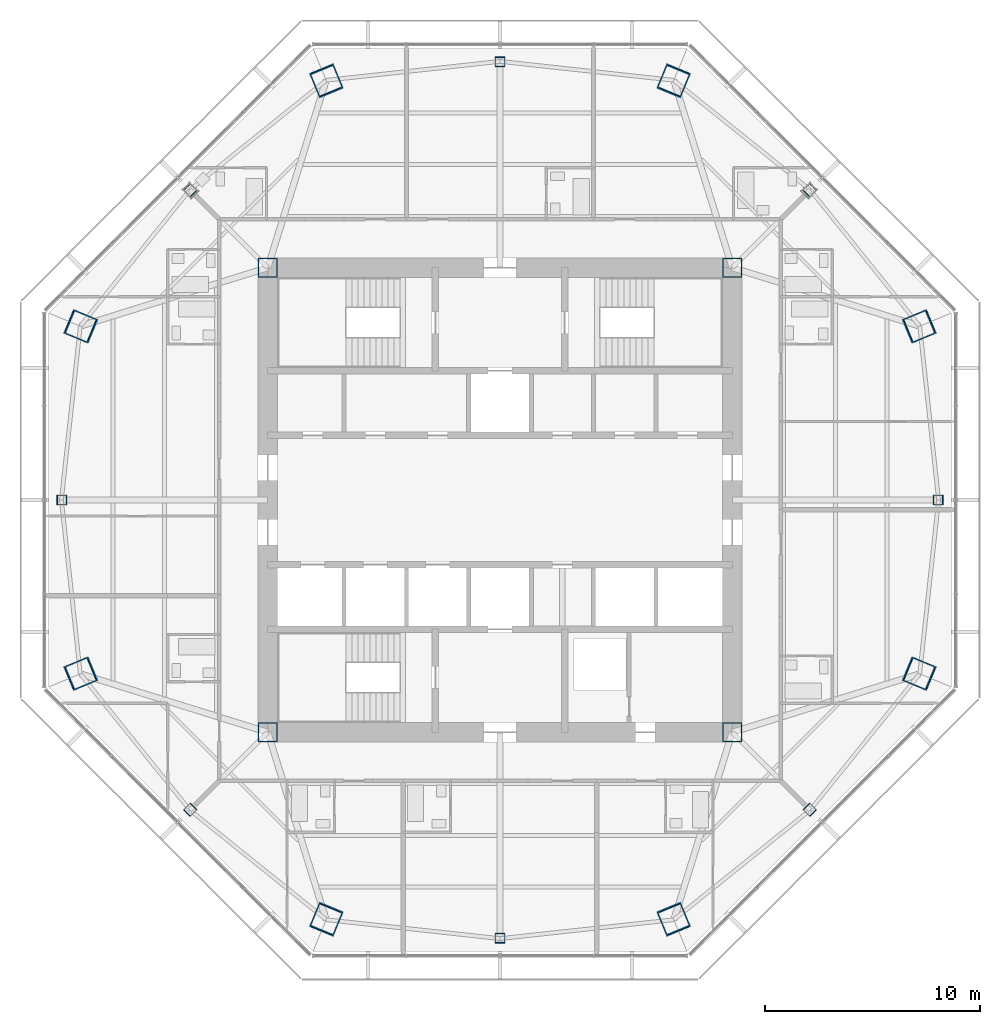
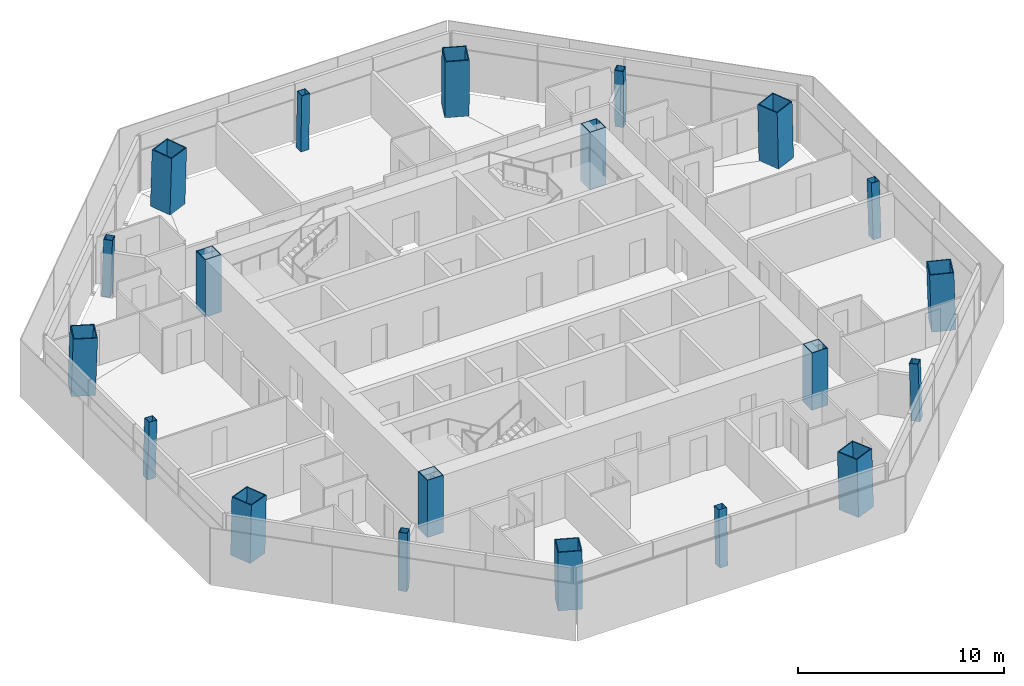
# One storey, part 1 of 14: 20 columns.
"""IFC4 building model written with IfcOpenShell, lengths in metres."""

import ifcopenshell
import ifcopenshell.guid

model = None  # the IFC model being written
_history = None  # IfcOwnerHistory: only IFC2X3 demands one
_inside = {}  # id of a spatial element -> (the spatial element, [elements in it])
_under = {}  # id of a project, library or spatial element -> (it, [spatial elements below it])
_declared = {}  # id of a project -> (the project, [libraries it declares])
_typed = {}  # id of a type object -> (the type object, [elements of that type])
_made_of = {}  # id of a material, layer set ... -> (it, [elements and type objects made of it])


def new_model(schema):
    """Start an empty IFC model of exactly this schema.

    Asked for "IFC4X3", IfcOpenShell would pick the latest addendum, in which some entities
    have other attributes; the version numbers below select the first issue.
    IFC2X3 requires an IfcOwnerHistory on every rooted entity: one is made here for all.
    """
    global model, _history
    if schema == "IFC4X3":
        model = ifcopenshell.file(schema_version=(4, 3, 0, 0))
    else:
        model = ifcopenshell.file(schema=schema)
    _inside.clear()
    _under.clear()
    _declared.clear()
    _typed.clear()
    _made_of.clear()
    _history = None
    if model.schema == "IFC2X3":
        org = make("IfcOrganization", Name="unknown")
        user = make(
            "IfcPersonAndOrganization",
            ThePerson=make("IfcPerson", FamilyName="unknown"),
            TheOrganization=org,
        )
        app = make(
            "IfcApplication",
            ApplicationDeveloper=org,
            Version="unknown",
            ApplicationFullName="unknown",
            ApplicationIdentifier="unknown",
        )
        _history = make(
            "IfcOwnerHistory",
            OwningUser=user,
            OwningApplication=app,
            ChangeAction="ADDED",
            CreationDate=0,
        )
    return model


def make(cls, **values):
    """One entity of the class cls with the attributes given. An attribute that is None is left unset."""
    return model.create_entity(
        cls, **{name: value for name, value in values.items() if value is not None}
    )


def rooted(cls, **values):
    """An entity with a GlobalId (a new one), such as an element, a storey or a relation."""
    return make(cls, GlobalId=ifcopenshell.guid.new(), OwnerHistory=_history, **values)


def si_unit(unit_type, name, prefix=None):
    """IfcSIUnit, for example si_unit("LENGTHUNIT", "METRE", prefix="MILLI")."""
    return make("IfcSIUnit", UnitType=unit_type, Prefix=prefix, Name=name)


def assignment(units):
    """IfcUnitAssignment: the units of a project."""
    return None if units is None else make("IfcUnitAssignment", Units=units)


def point(xyz):
    """IfcCartesianPoint."""
    return None if xyz is None else make("IfcCartesianPoint", Coordinates=xyz)


def direction(xyz):
    """IfcDirection."""
    return None if xyz is None else make("IfcDirection", DirectionRatios=xyz)


def frame(location, z_axis=None, x_axis=None):
    """IfcAxis2Placement3D, a coordinate frame: its origin and axes. An axis left out is left unset."""
    return make(
        "IfcAxis2Placement3D",
        Location=point(location),
        Axis=direction(z_axis),
        RefDirection=direction(x_axis),
    )


def frame_2d(location, x_axis=None):
    """IfcAxis2Placement2D, a coordinate frame in the plane: its origin and x axis."""
    return make(
        "IfcAxis2Placement2D", Location=point(location), RefDirection=direction(x_axis)
    )


def origin():
    """The frame at (0, 0, 0) with its axes left unset."""
    return frame((0.0, 0.0, 0.0))


def origin_2d():
    """The frame at (0, 0) in the plane with its x axis left unset."""
    return frame_2d((0.0, 0.0))


def place(relative_to, where):
    """IfcLocalPlacement: puts the frame where relative to a parent placement (None: the world)."""
    return make(
        "IfcLocalPlacement", PlacementRelTo=relative_to, RelativePlacement=where
    )


def context(
    kind, dimensions, precision=None, world=None, true_north=None, identifier=None
):
    """IfcGeometricRepresentationContext, for example the 3D "Model" context."""
    return make(
        "IfcGeometricRepresentationContext",
        ContextIdentifier=identifier,
        ContextType=kind,
        CoordinateSpaceDimension=dimensions,
        Precision=precision,
        WorldCoordinateSystem=world,
        TrueNorth=true_north,
    )


def subcontext(parent, identifier, kind, view, scale=None):
    """IfcGeometricRepresentationSubContext, for example "Body" below "Model"."""
    return make(
        "IfcGeometricRepresentationSubContext",
        ContextIdentifier=identifier,
        ContextType=kind,
        ParentContext=parent,
        TargetScale=scale,
        TargetView=view,
    )


def project(units=None, contexts=None):
    """IfcProject with its units and contexts."""
    return rooted(
        "IfcProject",
        Name="project",
        RepresentationContexts=contexts,
        UnitsInContext=assignment(units),
    )


def spatial(cls, under=None, at=None, **own):
    """A site, building, storey or space (cls), placed at a placement, below another one or the project."""
    s = rooted(cls, ObjectPlacement=at, **own)
    if under is not None:
        _under.setdefault(under.id(), (under, []))[1].append(s)
    return s


def profile(cls, at=None, kind="AREA", **sizes):
    """A parametric profile (cls). Its sizes go by their IFC names, for example OverallWidth=200.0."""
    return make(cls, ProfileType=kind, Position=at, **sizes)


def hollow_rectangle(**sizes):
    """IfcRectangleHollowProfileDef."""
    return profile("IfcRectangleHollowProfileDef", **sizes)


def extrude(swept, where, along, depth):
    """IfcExtrudedAreaSolid: the profile swept, set in the frame where, extruded along a direction by depth."""
    return make(
        "IfcExtrudedAreaSolid",
        SweptArea=swept,
        Position=where,
        ExtrudedDirection=direction(along),
        Depth=depth,
    )


def shape(context_of_items, identifier, shape_type, items):
    """IfcShapeRepresentation: the items that make up one representation, for example the "Body"."""
    return make(
        "IfcShapeRepresentation",
        ContextOfItems=context_of_items,
        RepresentationIdentifier=identifier,
        RepresentationType=shape_type,
        Items=items,
    )


def material(Name=None, Category=None):
    """IfcMaterial."""
    return make("IfcMaterial", Name=Name, Category=Category)


def material_profile(
    of_material, cross_section, Name=None, Category=None, Priority=None
):
    """IfcMaterialProfile: a cross section and its material."""
    return make(
        "IfcMaterialProfile",
        Name=Name,
        Material=of_material,
        Profile=cross_section,
        Priority=Priority,
        Category=Category,
    )


def profile_set(profiles, Name=None, composite=None):
    """IfcMaterialProfileSet."""
    return make(
        "IfcMaterialProfileSet",
        Name=Name,
        MaterialProfiles=profiles,
        CompositeProfile=composite,
    )


def made_of(thing, what):
    """Note that an element or type object is made of a material, layer set ...; save() writes the relation."""
    if what is not None:
        _made_of.setdefault(what.id(), (what, []))[1].append(thing)
    return thing


def type_object(cls, material=None, **own):
    """A type object (cls), such as IfcWallType, which elements share."""
    return made_of(rooted(cls, **own), material)


def element(
    cls,
    number,
    at=None,
    inside=None,
    cuts=None,
    type_object=None,
    material=None,
    context=None,
    identifier="Body",
    shape_type=None,
    held_by="IfcProductDefinitionShape",
    body=None,
    shapes=None,
    **own,
):
    """One element of the class cls, such as IfcWall. Its Tag is "e" and its number.

    at: its placement. inside: the storey or other place that contains it. cuts: it is an
    opening in that element (IfcRelVoidsElement). A single representation is given by context,
    identifier, shape_type and body (its items); several are given by shapes. held_by: the class
    of the entity that holds the representations. save() writes the other relations.
    """
    e = rooted(cls, Tag="e%d" % number, ObjectPlacement=at, **own)
    if body is not None:
        shapes = [shape(context, identifier, shape_type, body)]
    if shapes is not None:
        e.Representation = make(held_by, Representations=shapes)
    if inside is not None:
        _inside.setdefault(inside.id(), (inside, []))[1].append(e)
    if cuts is not None:
        rooted(
            "IfcRelVoidsElement", RelatingBuildingElement=cuts, RelatedOpeningElement=e
        )
    if type_object is not None:
        _typed.setdefault(type_object.id(), (type_object, []))[1].append(e)
    return made_of(e, material)


def aggregate(whole, parts):
    """IfcRelAggregates: a whole, such as a stair, and the parts it consists of."""
    return rooted("IfcRelAggregates", RelatingObject=whole, RelatedObjects=parts)


def save(model, path):
    """Write the relations noted so far, then the file.

    IfcRelAggregates (storeys below a building ...), IfcRelContainedInSpatialStructure (elements
    in a storey), IfcRelDefinesByType, IfcRelAssociatesMaterial and IfcRelDeclares: one each for
    every whole, place, type object, material and project.
    """
    for whole, parts in _under.values():
        aggregate(whole, parts)
    for where, things in _inside.values():
        rooted(
            "IfcRelContainedInSpatialStructure",
            RelatedElements=things,
            RelatingStructure=where,
        )
    for kind, things in _typed.values():
        rooted("IfcRelDefinesByType", RelatedObjects=things, RelatingType=kind)
    for what, things in _made_of.values():
        rooted("IfcRelAssociatesMaterial", RelatedObjects=things, RelatingMaterial=what)
    for by, libraries in _declared.values():
        rooted("IfcRelDeclares", RelatingContext=by, RelatedDefinitions=libraries)
    model.write(path)


model = new_model("IFC4")

# Units and contexts
model_context = context("Model", 3, precision=1e-05, world=origin(), true_north=direction((0.0, 1.0)))
body_context = subcontext(model_context, "Body", "Model", "MODEL_VIEW")
ifc_project = project(units=[si_unit("LENGTHUNIT", "METRE"), si_unit("AREAUNIT", "SQUARE_METRE"), si_unit("VOLUMEUNIT", "CUBIC_METRE"), si_unit("PLANEANGLEUNIT", "RADIAN"), si_unit("MASSUNIT", "GRAM", prefix="KILO")], contexts=[model_context])

# Site, building, storey
site_placement = place(None, origin())
site = spatial("IfcSite", under=ifc_project, at=site_placement, CompositionType="ELEMENT")
building_placement = place(site_placement, origin())
building = spatial("IfcBuilding", under=site, at=building_placement, Name="Mashrafa Tower", CompositionType="ELEMENT")
storey_placement = place(building_placement, frame((0.0, 0.0, 241.39990234375)))
storey = spatial("IfcBuildingStorey", under=building, at=storey_placement, Name="L57", CompositionType="ELEMENT", Elevation=241.39990234375)

# Columns
ifc_material_1 = material(Name="Steel ASTM A572 Gr 50", Category="steel")
ifc_material_profile_1 = material_profile(ifc_material_1, hollow_rectangle(XDim=0.89990234375, YDim=0.89990234375, WallThickness=0.0400390625, at=origin_2d()), Name="BOX900X900X40")
ifc_profile_set_1 = profile_set([ifc_material_profile_1], Name="Steel ASTM A572 Gr 50")
column_type_1 = type_object("IfcColumnType", Name="Core corner column BOX900X900X40", PredefinedType="COLUMN", material=ifc_profile_set_1)
for number, where, z_axis, x_axis, name in (
    (1, (10.800048828125, 10.800048828125, 0.0), (0.0, 0.0, 1.0), (1.0, 0.0, 0.0), "Core corner column CC-NE L57"),
    (2, (-10.800048828125, 10.800048828125, 0.0), (0.0, 0.0, 1.0), (1.0, 0.0, 0.0), "Core corner column CC-NW L57"),
    (3, (-10.800048828125, -10.800048828125, 0.0), (0.0, 0.0, 1.0), (1.0, 0.0, 0.0), "Core corner column CC-SW L57"),
    (4, (10.800048828125, -10.800048828125, 0.0), (0.0, 0.0, 1.0), (1.0, 0.0, 0.0), "Core corner column CC-SE L57"),
):
    element("IfcColumn", number, at=place(storey_placement, frame(where, z_axis=z_axis, x_axis=x_axis)), inside=storey, type_object=column_type_1, Name=name, PredefinedType="COLUMN", context=body_context, shape_type="SweptSolid", body=[
        extrude(hollow_rectangle(XDim=0.89990234375, YDim=0.89990234375, WallThickness=0.0400390625, at=origin_2d()), origin(), (0.0, 0.0, 1.0), 3.400146484375),
    ])
ifc_material_2 = material(Name="Steel ASTM A572 Gr 50", Category="steel")
ifc_material_profile_2 = material_profile(ifc_material_2, hollow_rectangle(XDim=1.199951171875, YDim=1.199951171875, WallThickness=0.054931640625, at=origin_2d()), Name="BOX1200X1200X55")
ifc_profile_set_2 = profile_set([ifc_material_profile_2], Name="Steel ASTM A572 Gr 50")
column_type_2 = type_object("IfcColumnType", Name="Mega column CFST BOX1200X1200X55", PredefinedType="COLUMN", material=ifc_profile_set_2)
for number, where, z_axis, x_axis, name in (
    (5, (19.507568359375, 8.080322265625, 0.0), (-0.028277121884, -0.011698403216, 0.999531666202), (0.382282742426, -0.924045401938, 0.0), "Mega column MC1 L57"),
    (6, (8.080322265625, 19.507568359375, 0.0), (-0.011698403216, -0.028277121884, 0.999531666202), (0.924045401938, -0.382282742426, 0.0), "Mega column MC2 L57"),
    (7, (-8.080322265625, 19.507568359375, 0.0), (0.011698403216, -0.028277121884, 0.999531666202), (0.924045401938, 0.382282742426, 0.0), "Mega column MC3 L57"),
    (8, (-19.507568359375, 8.080322265625, 0.0), (0.028277121884, -0.011698403216, 0.999531666202), (0.382282742426, 0.924045401938, 0.0), "Mega column MC4 L57"),
    (9, (-19.507568359375, -8.080322265625, 0.0), (0.028277121884, 0.011698403216, 0.999531666202), (-0.382282742426, 0.924045401938, 0.0), "Mega column MC5 L57"),
    (10, (-8.080322265625, -19.507568359375, 0.0), (0.011698403216, 0.028277121884, 0.999531666202), (-0.924045401938, 0.382282742426, 0.0), "Mega column MC6 L57"),
    (11, (8.080322265625, -19.507568359375, 0.0), (-0.011698403216, 0.028277121884, 0.999531666202), (-0.924045401938, -0.382282742426, 0.0), "Mega column MC7 L57"),
    (12, (19.507568359375, -8.080322265625, 0.0), (-0.028277121884, 0.011698403216, 0.999531666202), (-0.382282742426, -0.924045401938, 0.0), "Mega column MC8 L57"),
):
    element("IfcColumn", number, at=place(storey_placement, frame(where, z_axis=z_axis, x_axis=x_axis)), inside=storey, type_object=column_type_2, Name=name, PredefinedType="COLUMN", context=body_context, shape_type="SweptSolid", body=[
        extrude(hollow_rectangle(XDim=1.199951171875, YDim=1.199951171875, WallThickness=0.054931640625, at=origin_2d()), origin(), (0.0, 0.0, 1.0), 3.40185546875),
    ])
ifc_material_3 = material(Name="Steel ASTM A572 Gr 50", Category="steel")
ifc_material_profile_3 = material_profile(ifc_material_3, hollow_rectangle(XDim=0.449951171875, YDim=0.449951171875, WallThickness=0.02001953125, at=origin_2d()), Name="BOX450X450X20")
ifc_profile_set_3 = profile_set([ifc_material_profile_3], Name="Steel ASTM A572 Gr 50")
column_type_3 = type_object("IfcColumnType", Name="Secondary column BOX450X450X20", PredefinedType="COLUMN", material=ifc_profile_set_3)
for number, where, z_axis, x_axis, name in (
    (13, (20.3857421875, 0.0, 0.0), (-0.028207339906, 0.0, 0.999602093823), (0.0, -1.0, 0.0), "Secondary column SC1 L57"),
    (14, (14.4150390625, 14.4150390625, 0.0), (-0.020024994503, -0.020024994503, 0.999598919162), (0.707106781187, -0.707106781187, 0.0), "Secondary column SC2 L57"),
    (15, (0.0, 20.3857421875, 0.0), (0.0, -0.028207339906, 0.999602093823), (1.0, 0.0, 0.0), "Secondary column SC3 L57"),
    (16, (-14.4150390625, 14.4150390625, 0.0), (0.020024994503, -0.020024994503, 0.999598919162), (0.707106781187, 0.707106781187, 0.0), "Secondary column SC4 L57"),
    (17, (-20.3857421875, 0.0, 0.0), (0.028207339906, 0.0, 0.999602093823), (0.0, 1.0, 0.0), "Secondary column SC5 L57"),
    (18, (-14.4150390625, -14.4150390625, 0.0), (0.020024994503, 0.020024994503, 0.999598919162), (-0.707106781187, 0.707106781187, 0.0), "Secondary column SC6 L57"),
    (19, (0.0, -20.3857421875, 0.0), (0.0, 0.028207339906, 0.999602093823), (-1.0, 0.0, 0.0), "Secondary column SC7 L57"),
    (20, (14.4150390625, -14.4150390625, 0.0), (-0.020024994503, 0.020024994503, 0.999598919162), (-0.707106781187, -0.707106781187, 0.0), "Secondary column SC8 L57"),
):
    element("IfcColumn", number, at=place(storey_placement, frame(where, z_axis=z_axis, x_axis=x_axis)), inside=storey, type_object=column_type_3, Name=name, PredefinedType="COLUMN", context=body_context, shape_type="SweptSolid", body=[
        extrude(hollow_rectangle(XDim=0.449951171875, YDim=0.449951171875, WallThickness=0.02001953125, at=origin_2d()), origin(), (0.0, 0.0, 1.0), 3.401611328125),
    ])

save(model, "model.ifc")
